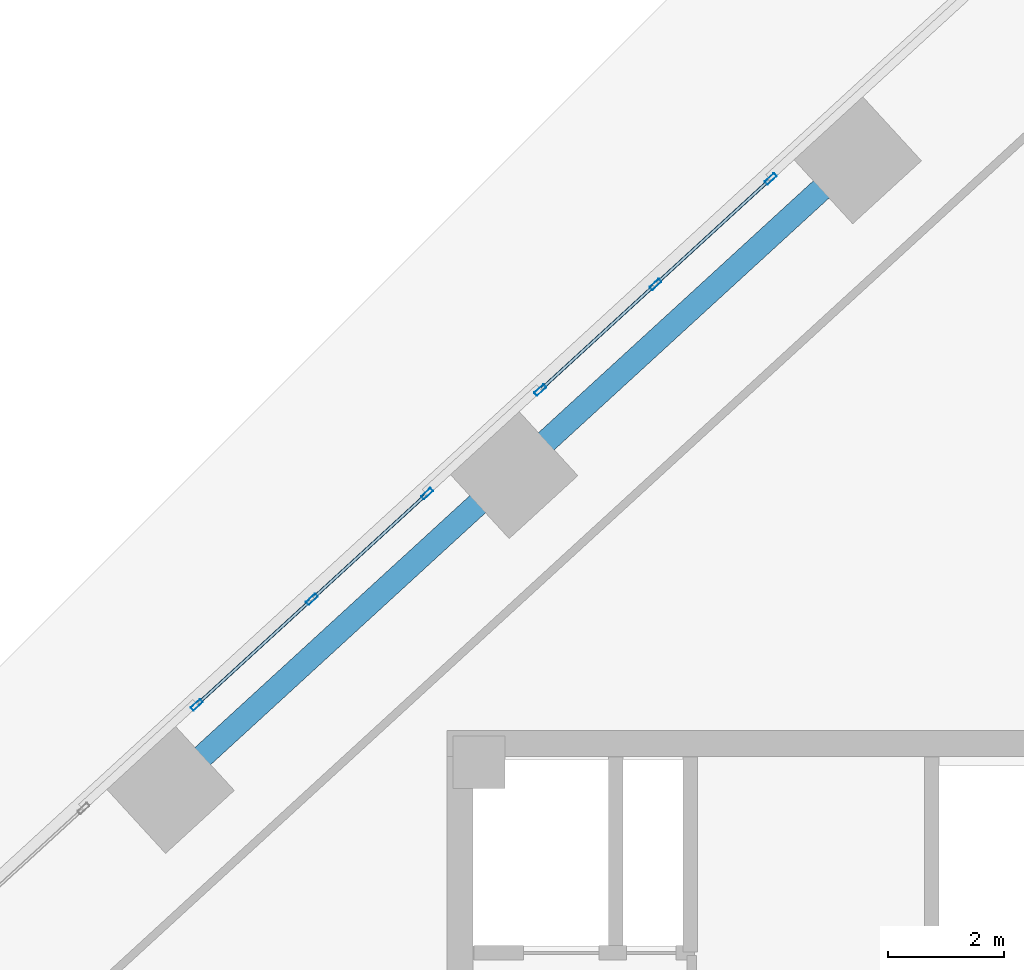
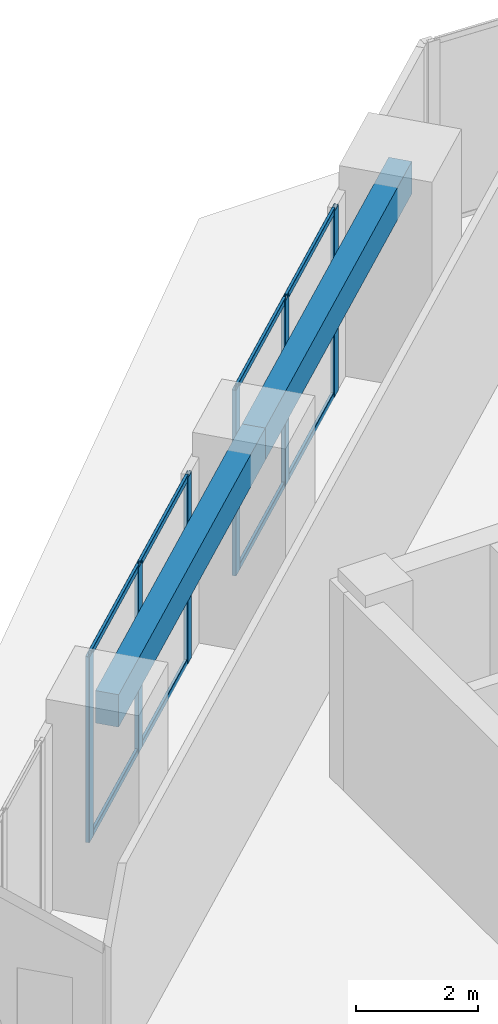
# One storey, part 8 of 17: 14 members, 2 beams, 2 elements without a shape of their own.
"""IFC4 building model written with IfcOpenShell, lengths in metres."""

from ifc_helpers import new_model, si_unit, direction, frame, origin, origin_2d, place, context, subcontext, project, spatial, rectangle, hollow_rectangle, extrude, source, transform, mapped, material, material_profile, profile_set, type_object, element, aggregate, save


model = new_model("IFC4")

# Units and contexts
model_context = context("Model", 3, precision=1e-05, world=origin(), true_north=direction((0.0, 1.0)))
body_context = subcontext(model_context, "Body", "Model", "MODEL_VIEW")
ifc_project = project(units=[si_unit("LENGTHUNIT", "METRE"), si_unit("AREAUNIT", "SQUARE_METRE"), si_unit("VOLUMEUNIT", "CUBIC_METRE"), si_unit("PLANEANGLEUNIT", "RADIAN"), si_unit("MASSUNIT", "GRAM", prefix="KILO")], contexts=[model_context])

# Site, building, storey
site_placement = place(None, origin())
site = spatial("IfcSite", under=ifc_project, at=site_placement, CompositionType="ELEMENT")
building_placement = place(site_placement, origin())
building = spatial("IfcBuilding", under=site, at=building_placement, Name="Torre Montelarca", CompositionType="ELEMENT")
storey_placement = place(building_placement, frame((0.0, 0.0, 254.199951171875)))
storey = spatial("IfcBuildingStorey", under=building, at=storey_placement, Name="L57", CompositionType="ELEMENT", Elevation=254.199951171875)

# Beams
ifc_material_1 = material(Name="Concrete C40/50", Category="concrete")
ifc_material_profile_1 = material_profile(ifc_material_1, rectangle(XDim=0.39990234375, YDim=0.64990234375, at=origin_2d()), Name="RCB400X650", Category="concrete")
ifc_profile_set_1 = profile_set([ifc_material_profile_1], Name="Concrete C40/50")
beam_type = type_object("IfcBeamType", Name="BM-SP-RC650-EXT", PredefinedType="SPANDREL", material=ifc_profile_set_1)
shared_shape_1 = source(origin(), body_context, "Body", "SweptSolid", [
    extrude(rectangle(XDim=0.39990234375, YDim=0.64990234375, at=origin_2d()), origin(), (0.0, 0.0, 1.0), 8.0),
])
for number, where, z_axis, x_axis, name in (
    (1, (4.218017578125, 39.018310546875, 3.635009765625), (0.737271938008, 0.675596099327, 0.0), (-0.675596099327, 0.737271938008, 0.0), "L57 Grid Girder Y 24.0-32.0 at X=4.7"),
    (2, (10.1162109375, 44.423095703125, 3.635009765625), (0.737271938008, 0.675596099327, 0.0), (-0.675596099327, 0.737271938008, 0.0), "L57 Grid Girder Y 32.0-40.0 at X=4.7"),
):
    element("IfcBeam", number, at=place(storey_placement, frame(where, z_axis=z_axis, x_axis=x_axis)), inside=storey, type_object=beam_type, Name=name, PredefinedType="SPANDREL", context=body_context, shape_type="MappedRepresentation", body=[
        mapped(shared_shape_1, transform((0.0, 0.0, 0.0), scale=1.0)),
    ])

# Curtain wall, members
ifc_material_2 = material(Name="Insulated low-E laminated glass", Category="glass")
curtain_wall_type = type_object("IfcCurtainWallType", Name="CW-SYS-Z3", PredefinedType="USERDEFINED", material=ifc_material_2)
curtain_wall_1_placement = place(storey_placement, origin())
curtain_wall_1 = element("IfcCurtainWall", 3, at=curtain_wall_1_placement, inside=storey, type_object=curtain_wall_type, Name="L57 Curtain Wall Run CW-T3-L57-E10-B1", ObjectType="UNITISED GLAZING", PredefinedType="USERDEFINED")
ifc_material_3 = material(Name="Anodised aluminium AA 6063-T6", Category="aluminium")
ifc_material_profile_2 = material_profile(ifc_material_3, hollow_rectangle(XDim=0.074951171875, YDim=0.219970703125, WallThickness=0.0048828125, InnerFilletRadius=0.0048828125, OuterFilletRadius=0.010009765625, at=origin_2d()), Name="ALU75X220X5", Category="aluminium")
ifc_profile_set_2 = profile_set([ifc_material_profile_2], Name="Anodised aluminium AA 6063-T6")
member_type_1 = type_object("IfcMemberType", Name="CWM-ALU220", PredefinedType="MULLION", material=ifc_profile_set_2)
shared_shape_2 = source(origin(), body_context, "Body", "SweptSolid", [
    extrude(hollow_rectangle(XDim=0.074951171875, YDim=0.219970703125, WallThickness=0.0048828125, InnerFilletRadius=0.0048828125, OuterFilletRadius=0.010009765625, at=origin_2d()), origin(), (0.0, 0.0, 1.0), 3.719970703125),
])
member_1_placement = place(storey_placement, frame((14.556640625, 49.468505859375, 0.0), z_axis=(0.0, 0.0, 1.0), x_axis=(0.675588101971, -0.737279266272, 0.0)))
member_1 = element("IfcMember", 4, at=member_1_placement, type_object=member_type_1, Name="CW mullion 1", PredefinedType="MULLION", context=body_context, shape_type="MappedRepresentation", body=[
    mapped(shared_shape_2, transform((0.0, 0.0, 0.0), scale=1.0)),
])
member_2_placement = place(storey_placement, frame((12.5791015625, 47.65625, 0.0), z_axis=(0.0, 0.0, 1.0), x_axis=(0.675588101971, -0.737279266272, 0.0)))
member_2 = element("IfcMember", 5, at=member_2_placement, type_object=member_type_1, Name="CW mullion 2", PredefinedType="MULLION", context=body_context, shape_type="MappedRepresentation", body=[
    mapped(shared_shape_2, transform((0.0, 0.0, 0.0), scale=1.0)),
])
member_3_placement = place(storey_placement, frame((10.601318359375, 45.843994140625, 0.0), z_axis=(0.0, 0.0, 1.0), x_axis=(0.675588101971, -0.737279266272, 0.0)))
member_3 = element("IfcMember", 6, at=member_3_placement, type_object=member_type_1, Name="CW mullion 3", PredefinedType="MULLION", context=body_context, shape_type="MappedRepresentation", body=[
    mapped(shared_shape_2, transform((0.0, 0.0, 0.0), scale=1.0)),
])

curtain_wall_2_placement = place(storey_placement, origin())
curtain_wall_2 = element("IfcCurtainWall", 7, at=curtain_wall_2_placement, inside=storey, type_object=curtain_wall_type, Name="L57 Curtain Wall Run CW-T3-L57-E10-B2", ObjectType="UNITISED GLAZING", PredefinedType="USERDEFINED")
member_4_placement = place(storey_placement, frame((8.658447265625, 44.06396484375, 0.0), z_axis=(0.0, 0.0, 1.0), x_axis=(0.675588101971, -0.737279266272, 0.0)))
member_4 = element("IfcMember", 8, at=member_4_placement, type_object=member_type_1, Name="CW mullion 1", PredefinedType="MULLION", context=body_context, shape_type="MappedRepresentation", body=[
    mapped(shared_shape_2, transform((0.0, 0.0, 0.0), scale=1.0)),
])
member_5_placement = place(storey_placement, frame((6.680908203125, 42.251708984375, 0.0), z_axis=(0.0, 0.0, 1.0), x_axis=(0.675588101971, -0.737279266272, 0.0)))
member_5 = element("IfcMember", 9, at=member_5_placement, type_object=member_type_1, Name="CW mullion 2", PredefinedType="MULLION", context=body_context, shape_type="MappedRepresentation", body=[
    mapped(shared_shape_2, transform((0.0, 0.0, 0.0), scale=1.0)),
])
member_6_placement = place(storey_placement, frame((4.703125, 40.439453125, 0.0), z_axis=(0.0, 0.0, 1.0), x_axis=(0.675588101971, -0.737279266272, 0.0)))
member_6 = element("IfcMember", 10, at=member_6_placement, type_object=member_type_1, Name="CW mullion 3", PredefinedType="MULLION", context=body_context, shape_type="MappedRepresentation", body=[
    mapped(shared_shape_2, transform((0.0, 0.0, 0.0), scale=1.0)),
])

# Member
ifc_material_profile_3 = material_profile(ifc_material_3, hollow_rectangle(XDim=0.054931640625, YDim=0.1201171875, WallThickness=0.00341796875, InnerFilletRadius=0.00341796875, OuterFilletRadius=0.007080078125, at=origin_2d()), Name="ALU55X120X3.5", Category="aluminium")
ifc_profile_set_3 = profile_set([ifc_material_profile_3], Name="Anodised aluminium AA 6063-T6")
member_type_2 = type_object("IfcMemberType", Name="CWT-ALU120", PredefinedType="USERDEFINED", material=ifc_profile_set_3)
shared_shape_3 = source(origin(), body_context, "Body", "SweptSolid", [
    extrude(hollow_rectangle(XDim=0.054931640625, YDim=0.1201171875, WallThickness=0.00341796875, InnerFilletRadius=0.00341796875, OuterFilletRadius=0.007080078125, at=origin_2d()), origin(), (0.0, 0.0, 1.0), 2.607421875),
])
member_7_placement = place(storey_placement, frame((14.529052734375, 49.443115234375, 0.027587890625), z_axis=(-0.737286275891, -0.675580452191, 0.0), x_axis=(0.675580452191, -0.737286275891, 0.0)))
member_7 = element("IfcMember", 11, at=member_7_placement, type_object=member_type_2, Name="CW transom 1.1", ObjectType="TRANSOM", PredefinedType="USERDEFINED", context=body_context, shape_type="MappedRepresentation", body=[
    mapped(shared_shape_3, transform((0.0, 0.0, 0.0), scale=1.0)),
])

member_8_placement = place(storey_placement, frame((14.529052734375, 49.443115234375, 3.692626953125), z_axis=(-0.737286275891, -0.675580452191, 0.0), x_axis=(0.675580452191, -0.737286275891, 0.0)))
member_8 = element("IfcMember", 12, at=member_8_placement, type_object=member_type_2, Name="CW transom 1.2", ObjectType="TRANSOM", PredefinedType="USERDEFINED", context=body_context, shape_type="MappedRepresentation", body=[
    mapped(shared_shape_3, transform((0.0, 0.0, 0.0), scale=1.0)),
])

member_9_placement = place(storey_placement, frame((12.55126953125, 47.630859375, 0.027587890625), z_axis=(-0.737286275891, -0.675580452191, 0.0), x_axis=(0.675580452191, -0.737286275891, 0.0)))
member_9 = element("IfcMember", 13, at=member_9_placement, type_object=member_type_2, Name="CW transom 2.1", ObjectType="TRANSOM", PredefinedType="USERDEFINED", context=body_context, shape_type="MappedRepresentation", body=[
    mapped(shared_shape_3, transform((0.0, 0.0, 0.0), scale=1.0)),
])

member_10_placement = place(storey_placement, frame((12.55126953125, 47.630859375, 3.692626953125), z_axis=(-0.737286275891, -0.675580452191, 0.0), x_axis=(0.675580452191, -0.737286275891, 0.0)))
member_10 = element("IfcMember", 14, at=member_10_placement, type_object=member_type_2, Name="CW transom 2.2", ObjectType="TRANSOM", PredefinedType="USERDEFINED", context=body_context, shape_type="MappedRepresentation", body=[
    mapped(shared_shape_3, transform((0.0, 0.0, 0.0), scale=1.0)),
])

aggregate(curtain_wall_1, [member_1, member_2, member_3, member_7, member_8, member_9, member_10])

member_11_placement = place(storey_placement, frame((8.630859375, 44.03857421875, 0.027587890625), z_axis=(-0.737239637576, -0.675631346806, 0.0), x_axis=(0.675631346806, -0.737239637576, 0.0)))
member_11 = element("IfcMember", 15, at=member_11_placement, type_object=member_type_2, Name="CW transom 1.1", ObjectType="TRANSOM", PredefinedType="USERDEFINED", context=body_context, shape_type="MappedRepresentation", body=[
    mapped(shared_shape_3, transform((0.0, 0.0, 0.0), scale=1.0)),
])

member_12_placement = place(storey_placement, frame((8.630859375, 44.03857421875, 3.692626953125), z_axis=(-0.737239637576, -0.675631346806, 0.0), x_axis=(0.675631346806, -0.737239637576, 0.0)))
member_12 = element("IfcMember", 16, at=member_12_placement, type_object=member_type_2, Name="CW transom 1.2", ObjectType="TRANSOM", PredefinedType="USERDEFINED", context=body_context, shape_type="MappedRepresentation", body=[
    mapped(shared_shape_3, transform((0.0, 0.0, 0.0), scale=1.0)),
])

member_13_placement = place(storey_placement, frame((6.653076171875, 42.226318359375, 0.027587890625), z_axis=(-0.737239637576, -0.675631346806, 0.0), x_axis=(0.675631346806, -0.737239637576, 0.0)))
member_13 = element("IfcMember", 17, at=member_13_placement, type_object=member_type_2, Name="CW transom 2.1", ObjectType="TRANSOM", PredefinedType="USERDEFINED", context=body_context, shape_type="MappedRepresentation", body=[
    mapped(shared_shape_3, transform((0.0, 0.0, 0.0), scale=1.0)),
])

member_14_placement = place(storey_placement, frame((6.653076171875, 42.226318359375, 3.692626953125), z_axis=(-0.737239637576, -0.675631346806, 0.0), x_axis=(0.675631346806, -0.737239637576, 0.0)))
member_14 = element("IfcMember", 18, at=member_14_placement, type_object=member_type_2, Name="CW transom 2.2", ObjectType="TRANSOM", PredefinedType="USERDEFINED", context=body_context, shape_type="MappedRepresentation", body=[
    mapped(shared_shape_3, transform((0.0, 0.0, 0.0), scale=1.0)),
])

aggregate(curtain_wall_2, [member_4, member_5, member_6, member_11, member_12, member_13, member_14])

save(model, "model.ifc")
